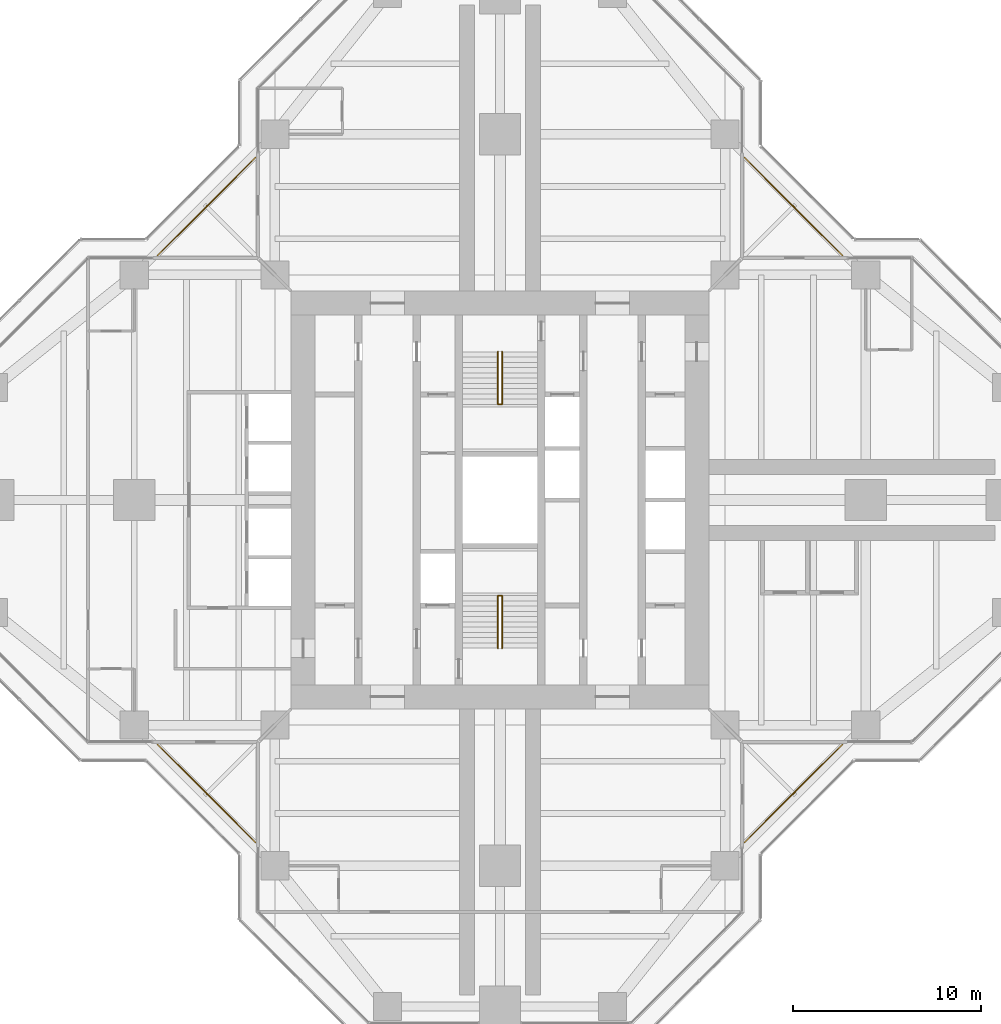
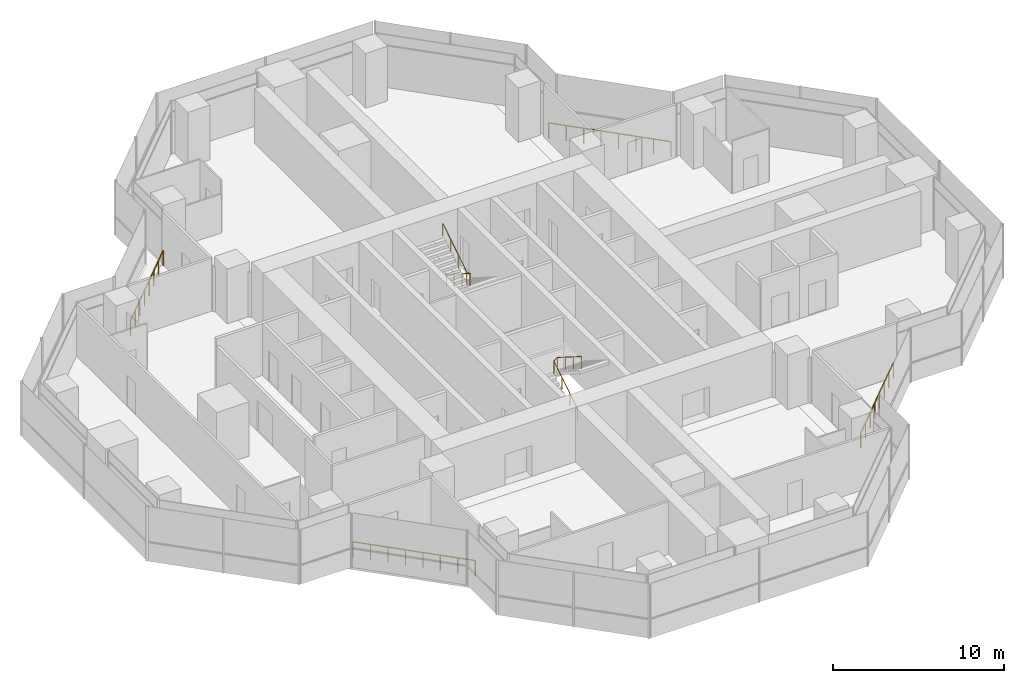
# One storey, part 17 of 17: 6 railings.
"""IFC4 building model written with IfcOpenShell, lengths in metres."""

from ifc_helpers import new_model, si_unit, direction, frame, origin, origin_2d, place, context, subcontext, project, spatial, circle, extrude, material, type_object, element, save


model = new_model("IFC4")

# Units and contexts
model_context = context("Model", 3, precision=1e-05, world=origin(), true_north=direction((0.0, 1.0)))
body_context = subcontext(model_context, "Body", "Model", "MODEL_VIEW")
ifc_project = project(units=[si_unit("LENGTHUNIT", "METRE"), si_unit("AREAUNIT", "SQUARE_METRE"), si_unit("VOLUMEUNIT", "CUBIC_METRE"), si_unit("PLANEANGLEUNIT", "RADIAN"), si_unit("MASSUNIT", "GRAM", prefix="KILO")], contexts=[model_context])

# Site, building, storey
site_placement = place(None, origin())
site = spatial("IfcSite", under=ifc_project, at=site_placement, CompositionType="ELEMENT")
building_placement = place(site_placement, origin())
building = spatial("IfcBuilding", under=site, at=building_placement, Name="Mizan Broadcast Tower", CompositionType="ELEMENT")
storey_placement = place(building_placement, frame((0.0, 0.0, 247.800048828125)))
storey = spatial("IfcBuildingStorey", under=building, at=storey_placement, Name="L58", CompositionType="ELEMENT", Elevation=247.800048828125)

# Railings
ifc_material_1 = material(Name="Stainless steel and glass guard", Category="steel")
railing_type_1 = type_object("IfcRailingType", Name="GUARD 1100", PredefinedType="GUARDRAIL", material=ifc_material_1)
railing_1_placement = place(storey_placement, frame((18.2578125, 13.030029296875, 0.0)))
element("IfcRailing", 1, at=railing_1_placement, inside=storey, type_object=railing_type_1, Name="Winter garden guard L58 E", PredefinedType="GUARDRAIL", context=body_context, shape_type="SweptSolid", body=[
    extrude(circle(Radius=0.02392578125, at=origin_2d()), frame((0.0, 0.0, 1.076171875), z_axis=(-0.707106781187, 0.707106781187, 0.0), x_axis=(-0.707106781187, -0.707106781187, 0.0)), (0.0, 0.0, 1.0), 7.393310546875),
    extrude(circle(Radius=0.02099609375, at=origin_2d()), origin(), (0.0, 0.0, 1.0), 1.052001953125),
    extrude(circle(Radius=0.02099609375, at=origin_2d()), frame((-0.746826171875, 0.746826171875, 0.0)), (0.0, 0.0, 1.0), 1.052001953125),
    extrude(circle(Radius=0.02099609375, at=origin_2d()), frame((-1.49365234375, 1.49365234375, 0.0)), (0.0, 0.0, 1.0), 1.052001953125),
    extrude(circle(Radius=0.02099609375, at=origin_2d()), frame((-2.240478515625, 2.240478515625, 0.0)), (0.0, 0.0, 1.0), 1.052001953125),
    extrude(circle(Radius=0.02099609375, at=origin_2d()), frame((-2.9873046875, 2.9873046875, 0.0)), (0.0, 0.0, 1.0), 1.052001953125),
    extrude(circle(Radius=0.02099609375, at=origin_2d()), frame((-3.734130859375, 3.734130859375, 0.0)), (0.0, 0.0, 1.0), 1.052001953125),
    extrude(circle(Radius=0.02099609375, at=origin_2d()), frame((-4.48095703125, 4.48095703125, 0.0)), (0.0, 0.0, 1.0), 1.052001953125),
    extrude(circle(Radius=0.02099609375, at=origin_2d()), frame((-5.227783203125, 5.227783203125, 0.0)), (0.0, 0.0, 1.0), 1.052001953125),
])
railing_2_placement = place(storey_placement, frame((-13.030029296875, 18.2578125, 0.0)))
element("IfcRailing", 2, at=railing_2_placement, inside=storey, type_object=railing_type_1, Name="Winter garden guard L58 N", PredefinedType="GUARDRAIL", context=body_context, shape_type="SweptSolid", body=[
    extrude(circle(Radius=0.02392578125, at=origin_2d()), frame((0.0, 0.0, 1.076171875), z_axis=(-0.707106781187, -0.707106781187, 0.0), x_axis=(0.707106781187, -0.707106781187, 0.0)), (0.0, 0.0, 1.0), 7.393310546875),
    extrude(circle(Radius=0.02099609375, at=origin_2d()), origin(), (0.0, 0.0, 1.0), 1.052001953125),
    extrude(circle(Radius=0.02099609375, at=origin_2d()), frame((-0.746826171875, -0.746826171875, 0.0)), (0.0, 0.0, 1.0), 1.052001953125),
    extrude(circle(Radius=0.02099609375, at=origin_2d()), frame((-1.49365234375, -1.49365234375, 0.0)), (0.0, 0.0, 1.0), 1.052001953125),
    extrude(circle(Radius=0.02099609375, at=origin_2d()), frame((-2.240478515625, -2.240478515625, 0.0)), (0.0, 0.0, 1.0), 1.052001953125),
    extrude(circle(Radius=0.02099609375, at=origin_2d()), frame((-2.9873046875, -2.9873046875, 0.0)), (0.0, 0.0, 1.0), 1.052001953125),
    extrude(circle(Radius=0.02099609375, at=origin_2d()), frame((-3.734130859375, -3.734130859375, 0.0)), (0.0, 0.0, 1.0), 1.052001953125),
    extrude(circle(Radius=0.02099609375, at=origin_2d()), frame((-4.48095703125, -4.48095703125, 0.0)), (0.0, 0.0, 1.0), 1.052001953125),
    extrude(circle(Radius=0.02099609375, at=origin_2d()), frame((-5.227783203125, -5.227783203125, 0.0)), (0.0, 0.0, 1.0), 1.052001953125),
])
railing_3_placement = place(storey_placement, frame((-18.2578125, -13.030029296875, 0.0)))
element("IfcRailing", 3, at=railing_3_placement, inside=storey, type_object=railing_type_1, Name="Winter garden guard L58 W", PredefinedType="GUARDRAIL", context=body_context, shape_type="SweptSolid", body=[
    extrude(circle(Radius=0.02392578125, at=origin_2d()), frame((0.0, 0.0, 1.076171875), z_axis=(0.707106781187, -0.707106781187, 0.0), x_axis=(0.707106781187, 0.707106781187, 0.0)), (0.0, 0.0, 1.0), 7.393310546875),
    extrude(circle(Radius=0.02099609375, at=origin_2d()), origin(), (0.0, 0.0, 1.0), 1.052001953125),
    extrude(circle(Radius=0.02099609375, at=origin_2d()), frame((0.746826171875, -0.746826171875, 0.0)), (0.0, 0.0, 1.0), 1.052001953125),
    extrude(circle(Radius=0.02099609375, at=origin_2d()), frame((1.49365234375, -1.49365234375, 0.0)), (0.0, 0.0, 1.0), 1.052001953125),
    extrude(circle(Radius=0.02099609375, at=origin_2d()), frame((2.240478515625, -2.240478515625, 0.0)), (0.0, 0.0, 1.0), 1.052001953125),
    extrude(circle(Radius=0.02099609375, at=origin_2d()), frame((2.9873046875, -2.9873046875, 0.0)), (0.0, 0.0, 1.0), 1.052001953125),
    extrude(circle(Radius=0.02099609375, at=origin_2d()), frame((3.734130859375, -3.734130859375, 0.0)), (0.0, 0.0, 1.0), 1.052001953125),
    extrude(circle(Radius=0.02099609375, at=origin_2d()), frame((4.48095703125, -4.48095703125, 0.0)), (0.0, 0.0, 1.0), 1.052001953125),
    extrude(circle(Radius=0.02099609375, at=origin_2d()), frame((5.227783203125, -5.227783203125, 0.0)), (0.0, 0.0, 1.0), 1.052001953125),
])
railing_4_placement = place(storey_placement, frame((13.030029296875, -18.2578125, 0.0)))
element("IfcRailing", 4, at=railing_4_placement, inside=storey, type_object=railing_type_1, Name="Winter garden guard L58 S", PredefinedType="GUARDRAIL", context=body_context, shape_type="SweptSolid", body=[
    extrude(circle(Radius=0.02392578125, at=origin_2d()), frame((0.0, 0.0, 1.076171875), z_axis=(0.707106781187, 0.707106781187, 0.0), x_axis=(-0.707106781187, 0.707106781187, 0.0)), (0.0, 0.0, 1.0), 7.393310546875),
    extrude(circle(Radius=0.02099609375, at=origin_2d()), origin(), (0.0, 0.0, 1.0), 1.052001953125),
    extrude(circle(Radius=0.02099609375, at=origin_2d()), frame((0.746826171875, 0.746826171875, 0.0)), (0.0, 0.0, 1.0), 1.052001953125),
    extrude(circle(Radius=0.02099609375, at=origin_2d()), frame((1.49365234375, 1.49365234375, 0.0)), (0.0, 0.0, 1.0), 1.052001953125),
    extrude(circle(Radius=0.02099609375, at=origin_2d()), frame((2.240478515625, 2.240478515625, 0.0)), (0.0, 0.0, 1.0), 1.052001953125),
    extrude(circle(Radius=0.02099609375, at=origin_2d()), frame((2.9873046875, 2.9873046875, 0.0)), (0.0, 0.0, 1.0), 1.052001953125),
    extrude(circle(Radius=0.02099609375, at=origin_2d()), frame((3.734130859375, 3.734130859375, 0.0)), (0.0, 0.0, 1.0), 1.052001953125),
    extrude(circle(Radius=0.02099609375, at=origin_2d()), frame((4.48095703125, 4.48095703125, 0.0)), (0.0, 0.0, 1.0), 1.052001953125),
    extrude(circle(Radius=0.02099609375, at=origin_2d()), frame((5.227783203125, 5.227783203125, 0.0)), (0.0, 0.0, 1.0), 1.052001953125),
])
ifc_material_2 = material(Name="Stainless steel", Category="steel")
railing_type_2 = type_object("IfcRailingType", Name="HANDRAIL 50", PredefinedType="HANDRAIL", material=ifc_material_2)
railing_5_placement = place(storey_placement, frame((-0.110107421875, -7.89990234375, 0.17724609375)))
element("IfcRailing", 5, at=railing_5_placement, inside=storey, type_object=railing_type_2, Name="Stair A handrail", PredefinedType="HANDRAIL", context=body_context, shape_type="SweptSolid", body=[
    extrude(circle(Radius=0.02392578125, at=origin_2d()), frame((0.0, 0.0, 0.8759765625), z_axis=(0.0, 0.844887892834, 0.53494340686), x_axis=(-1.0, 0.0, 0.0)), (0.0, 0.0, 1.0), 3.313720703125),
    extrude(circle(Radius=0.02392578125, at=origin_2d()), frame((0.0, 2.7998046875, 2.6484375), z_axis=(0.779011685263, 0.0, 0.627009405212), x_axis=(0.0, 1.0, 0.0)), (0.0, 0.0, 1.0), 0.28271484375),
    extrude(circle(Radius=0.02392578125, at=origin_2d()), frame((0.22021484375, 2.7998046875, 2.82568359375), z_axis=(0.0, -0.844887892834, 0.53494340686), x_axis=(1.0, 0.0, 0.0)), (0.0, 0.0, 1.0), 3.313720703125),
    extrude(circle(Radius=0.02099609375, at=origin_2d()), origin(), (0.0, 0.0, 1.0), 0.851806640625),
    extrude(circle(Radius=0.02099609375, at=origin_2d()), frame((0.0, 0.933349609375, 0.5908203125)), (0.0, 0.0, 1.0), 0.851806640625),
    extrude(circle(Radius=0.02099609375, at=origin_2d()), frame((0.0, 1.866455078125, 1.181884765625)), (0.0, 0.0, 1.0), 0.851806640625),
    extrude(circle(Radius=0.02099609375, at=origin_2d()), frame((0.0, 2.7998046875, 1.772705078125)), (0.0, 0.0, 1.0), 0.851806640625),
    extrude(circle(Radius=0.02099609375, at=origin_2d()), frame((0.22021484375, 2.7998046875, 1.949951171875)), (0.0, 0.0, 1.0), 0.851806640625),
    extrude(circle(Radius=0.02099609375, at=origin_2d()), frame((0.22021484375, 1.866455078125, 2.540771484375)), (0.0, 0.0, 1.0), 0.851806640625),
    extrude(circle(Radius=0.02099609375, at=origin_2d()), frame((0.22021484375, 0.933349609375, 3.1318359375)), (0.0, 0.0, 1.0), 0.851806640625),
    extrude(circle(Radius=0.02099609375, at=origin_2d()), frame((0.22021484375, 0.0, 3.72265625)), (0.0, 0.0, 1.0), 0.851806640625),
])
railing_6_placement = place(storey_placement, frame((0.110107421875, 7.89990234375, 0.17724609375)))
element("IfcRailing", 6, at=railing_6_placement, inside=storey, type_object=railing_type_2, Name="Stair B handrail", PredefinedType="HANDRAIL", context=body_context, shape_type="SweptSolid", body=[
    extrude(circle(Radius=0.02392578125, at=origin_2d()), frame((0.0, 0.0, 0.8759765625), z_axis=(0.0, -0.844887892834, 0.53494340686), x_axis=(1.0, 0.0, 0.0)), (0.0, 0.0, 1.0), 3.313720703125),
    extrude(circle(Radius=0.02392578125, at=origin_2d()), frame((0.0, -2.7998046875, 2.6484375), z_axis=(-0.779011685263, 0.0, 0.627009405212), x_axis=(0.0, -1.0, 0.0)), (0.0, 0.0, 1.0), 0.28271484375),
    extrude(circle(Radius=0.02392578125, at=origin_2d()), frame((-0.22021484375, -2.7998046875, 2.82568359375), z_axis=(0.0, 0.844887892834, 0.53494340686), x_axis=(-1.0, 0.0, 0.0)), (0.0, 0.0, 1.0), 3.313720703125),
    extrude(circle(Radius=0.02099609375, at=origin_2d()), origin(), (0.0, 0.0, 1.0), 0.851806640625),
    extrude(circle(Radius=0.02099609375, at=origin_2d()), frame((0.0, -0.933349609375, 0.5908203125)), (0.0, 0.0, 1.0), 0.851806640625),
    extrude(circle(Radius=0.02099609375, at=origin_2d()), frame((0.0, -1.866455078125, 1.181884765625)), (0.0, 0.0, 1.0), 0.851806640625),
    extrude(circle(Radius=0.02099609375, at=origin_2d()), frame((0.0, -2.7998046875, 1.772705078125)), (0.0, 0.0, 1.0), 0.851806640625),
    extrude(circle(Radius=0.02099609375, at=origin_2d()), frame((-0.22021484375, -2.7998046875, 1.949951171875)), (0.0, 0.0, 1.0), 0.851806640625),
    extrude(circle(Radius=0.02099609375, at=origin_2d()), frame((-0.22021484375, -1.866455078125, 2.540771484375)), (0.0, 0.0, 1.0), 0.851806640625),
    extrude(circle(Radius=0.02099609375, at=origin_2d()), frame((-0.22021484375, -0.933349609375, 3.1318359375)), (0.0, 0.0, 1.0), 0.851806640625),
    extrude(circle(Radius=0.02099609375, at=origin_2d()), frame((-0.22021484375, 0.0, 3.72265625)), (0.0, 0.0, 1.0), 0.851806640625),
])

save(model, "model.ifc")
